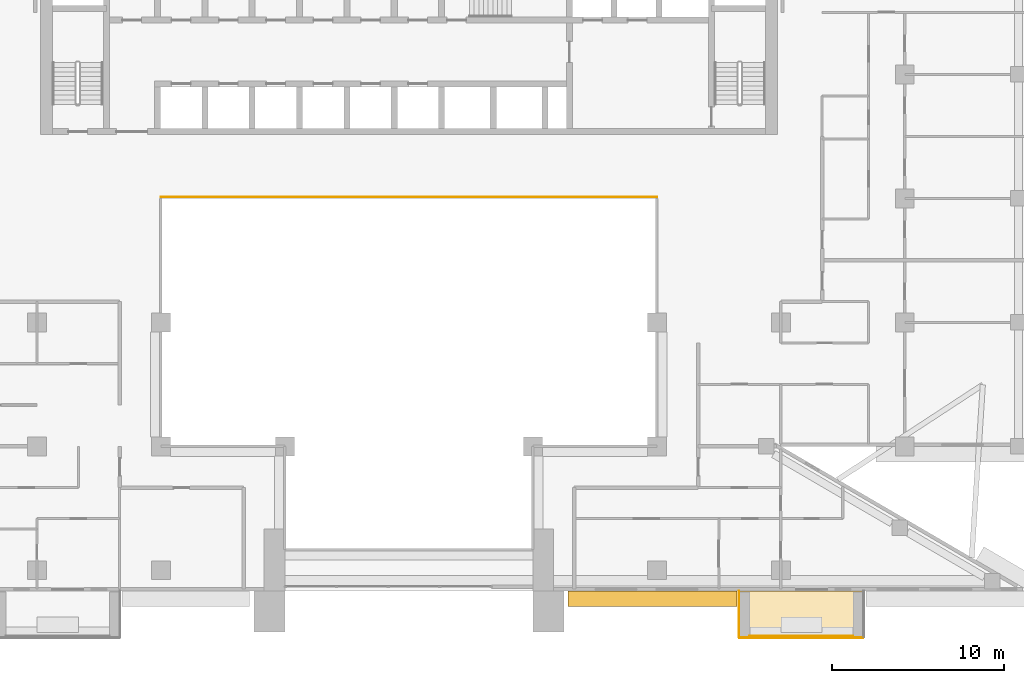
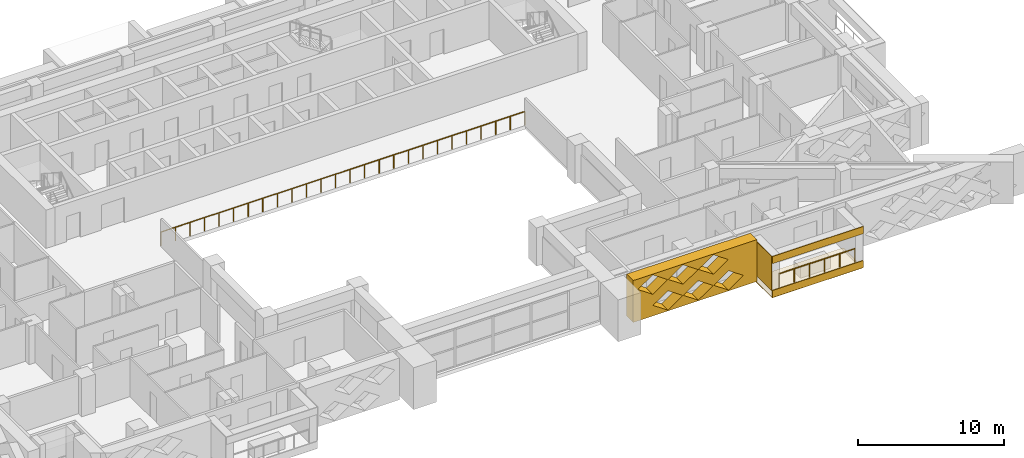
# One storey, part 16 of 20: 5 coverings, 2 railings.
"""IFC4 building model written with IfcOpenShell, lengths in metres."""

import ifcopenshell
import ifcopenshell.guid

model = None  # the IFC model being written
_history = None  # IfcOwnerHistory: only IFC2X3 demands one
_inside = {}  # id of a spatial element -> (the spatial element, [elements in it])
_under = {}  # id of a project, library or spatial element -> (it, [spatial elements below it])
_declared = {}  # id of a project -> (the project, [libraries it declares])
_typed = {}  # id of a type object -> (the type object, [elements of that type])
_made_of = {}  # id of a material, layer set ... -> (it, [elements and type objects made of it])


def new_model(schema):
    """Start an empty IFC model of exactly this schema.

    Asked for "IFC4X3", IfcOpenShell would pick the latest addendum, in which some entities
    have other attributes; the version numbers below select the first issue.
    IFC2X3 requires an IfcOwnerHistory on every rooted entity: one is made here for all.
    """
    global model, _history
    if schema == "IFC4X3":
        model = ifcopenshell.file(schema_version=(4, 3, 0, 0))
    else:
        model = ifcopenshell.file(schema=schema)
    _inside.clear()
    _under.clear()
    _declared.clear()
    _typed.clear()
    _made_of.clear()
    _history = None
    if model.schema == "IFC2X3":
        org = make("IfcOrganization", Name="unknown")
        user = make(
            "IfcPersonAndOrganization",
            ThePerson=make("IfcPerson", FamilyName="unknown"),
            TheOrganization=org,
        )
        app = make(
            "IfcApplication",
            ApplicationDeveloper=org,
            Version="unknown",
            ApplicationFullName="unknown",
            ApplicationIdentifier="unknown",
        )
        _history = make(
            "IfcOwnerHistory",
            OwningUser=user,
            OwningApplication=app,
            ChangeAction="ADDED",
            CreationDate=0,
        )
    return model


def make(cls, **values):
    """One entity of the class cls with the attributes given. An attribute that is None is left unset."""
    return model.create_entity(
        cls, **{name: value for name, value in values.items() if value is not None}
    )


def rooted(cls, **values):
    """An entity with a GlobalId (a new one), such as an element, a storey or a relation."""
    return make(cls, GlobalId=ifcopenshell.guid.new(), OwnerHistory=_history, **values)


def si_unit(unit_type, name, prefix=None):
    """IfcSIUnit, for example si_unit("LENGTHUNIT", "METRE", prefix="MILLI")."""
    return make("IfcSIUnit", UnitType=unit_type, Prefix=prefix, Name=name)


def assignment(units):
    """IfcUnitAssignment: the units of a project."""
    return None if units is None else make("IfcUnitAssignment", Units=units)


def point(xyz):
    """IfcCartesianPoint."""
    return None if xyz is None else make("IfcCartesianPoint", Coordinates=xyz)


def direction(xyz):
    """IfcDirection."""
    return None if xyz is None else make("IfcDirection", DirectionRatios=xyz)


def frame(location, z_axis=None, x_axis=None):
    """IfcAxis2Placement3D, a coordinate frame: its origin and axes. An axis left out is left unset."""
    return make(
        "IfcAxis2Placement3D",
        Location=point(location),
        Axis=direction(z_axis),
        RefDirection=direction(x_axis),
    )


def frame_2d(location, x_axis=None):
    """IfcAxis2Placement2D, a coordinate frame in the plane: its origin and x axis."""
    return make(
        "IfcAxis2Placement2D", Location=point(location), RefDirection=direction(x_axis)
    )


def origin():
    """The frame at (0, 0, 0) with its axes left unset."""
    return frame((0.0, 0.0, 0.0))


def origin_2d():
    """The frame at (0, 0) in the plane with its x axis left unset."""
    return frame_2d((0.0, 0.0))


def place(relative_to, where):
    """IfcLocalPlacement: puts the frame where relative to a parent placement (None: the world)."""
    return make(
        "IfcLocalPlacement", PlacementRelTo=relative_to, RelativePlacement=where
    )


def context(
    kind, dimensions, precision=None, world=None, true_north=None, identifier=None
):
    """IfcGeometricRepresentationContext, for example the 3D "Model" context."""
    return make(
        "IfcGeometricRepresentationContext",
        ContextIdentifier=identifier,
        ContextType=kind,
        CoordinateSpaceDimension=dimensions,
        Precision=precision,
        WorldCoordinateSystem=world,
        TrueNorth=true_north,
    )


def subcontext(parent, identifier, kind, view, scale=None):
    """IfcGeometricRepresentationSubContext, for example "Body" below "Model"."""
    return make(
        "IfcGeometricRepresentationSubContext",
        ContextIdentifier=identifier,
        ContextType=kind,
        ParentContext=parent,
        TargetScale=scale,
        TargetView=view,
    )


def project(units=None, contexts=None):
    """IfcProject with its units and contexts."""
    return rooted(
        "IfcProject",
        Name="project",
        RepresentationContexts=contexts,
        UnitsInContext=assignment(units),
    )


def spatial(cls, under=None, at=None, **own):
    """A site, building, storey or space (cls), placed at a placement, below another one or the project."""
    s = rooted(cls, ObjectPlacement=at, **own)
    if under is not None:
        _under.setdefault(under.id(), (under, []))[1].append(s)
    return s


def polyline(points):
    """IfcPolyline through the points."""
    return make("IfcPolyline", Points=[point(p) for p in points])


def profile(cls, at=None, kind="AREA", **sizes):
    """A parametric profile (cls). Its sizes go by their IFC names, for example OverallWidth=200.0."""
    return make(cls, ProfileType=kind, Position=at, **sizes)


def circle(**sizes):
    """IfcCircleProfileDef."""
    return profile("IfcCircleProfileDef", **sizes)


def outline(outer, holes=None, kind="AREA"):
    """IfcArbitraryClosedProfileDef: a profile drawn as a closed curve; with holes, ...WithVoids."""
    if holes is None:
        return make("IfcArbitraryClosedProfileDef", ProfileType=kind, OuterCurve=outer)
    return make(
        "IfcArbitraryProfileDefWithVoids",
        ProfileType=kind,
        OuterCurve=outer,
        InnerCurves=holes,
    )


def extrude(swept, where, along, depth):
    """IfcExtrudedAreaSolid: the profile swept, set in the frame where, extruded along a direction by depth."""
    return make(
        "IfcExtrudedAreaSolid",
        SweptArea=swept,
        Position=where,
        ExtrudedDirection=direction(along),
        Depth=depth,
    )


def shape(context_of_items, identifier, shape_type, items):
    """IfcShapeRepresentation: the items that make up one representation, for example the "Body"."""
    return make(
        "IfcShapeRepresentation",
        ContextOfItems=context_of_items,
        RepresentationIdentifier=identifier,
        RepresentationType=shape_type,
        Items=items,
    )


def material(Name=None, Category=None):
    """IfcMaterial."""
    return make("IfcMaterial", Name=Name, Category=Category)


def layer(
    of_material, thickness, ventilated=None, Name=None, Category=None, Priority=None
):
    """IfcMaterialLayer: one layer of a wall or slab, of a material (None: an air gap)."""
    return make(
        "IfcMaterialLayer",
        Material=of_material,
        LayerThickness=thickness,
        IsVentilated=ventilated,
        Name=Name,
        Category=Category,
        Priority=Priority,
    )


def layer_set(layers, Name=None):
    """IfcMaterialLayerSet."""
    return make("IfcMaterialLayerSet", MaterialLayers=layers, LayerSetName=Name)


def made_of(thing, what):
    """Note that an element or type object is made of a material, layer set ...; save() writes the relation."""
    if what is not None:
        _made_of.setdefault(what.id(), (what, []))[1].append(thing)
    return thing


def type_object(cls, material=None, **own):
    """A type object (cls), such as IfcWallType, which elements share."""
    return made_of(rooted(cls, **own), material)


def element(
    cls,
    number,
    at=None,
    inside=None,
    cuts=None,
    type_object=None,
    material=None,
    context=None,
    identifier="Body",
    shape_type=None,
    held_by="IfcProductDefinitionShape",
    body=None,
    shapes=None,
    **own,
):
    """One element of the class cls, such as IfcWall. Its Tag is "e" and its number.

    at: its placement. inside: the storey or other place that contains it. cuts: it is an
    opening in that element (IfcRelVoidsElement). A single representation is given by context,
    identifier, shape_type and body (its items); several are given by shapes. held_by: the class
    of the entity that holds the representations. save() writes the other relations.
    """
    e = rooted(cls, Tag="e%d" % number, ObjectPlacement=at, **own)
    if body is not None:
        shapes = [shape(context, identifier, shape_type, body)]
    if shapes is not None:
        e.Representation = make(held_by, Representations=shapes)
    if inside is not None:
        _inside.setdefault(inside.id(), (inside, []))[1].append(e)
    if cuts is not None:
        rooted(
            "IfcRelVoidsElement", RelatingBuildingElement=cuts, RelatedOpeningElement=e
        )
    if type_object is not None:
        _typed.setdefault(type_object.id(), (type_object, []))[1].append(e)
    return made_of(e, material)


def aggregate(whole, parts):
    """IfcRelAggregates: a whole, such as a stair, and the parts it consists of."""
    return rooted("IfcRelAggregates", RelatingObject=whole, RelatedObjects=parts)


def save(model, path):
    """Write the relations noted so far, then the file.

    IfcRelAggregates (storeys below a building ...), IfcRelContainedInSpatialStructure (elements
    in a storey), IfcRelDefinesByType, IfcRelAssociatesMaterial and IfcRelDeclares: one each for
    every whole, place, type object, material and project.
    """
    for whole, parts in _under.values():
        aggregate(whole, parts)
    for where, things in _inside.values():
        rooted(
            "IfcRelContainedInSpatialStructure",
            RelatedElements=things,
            RelatingStructure=where,
        )
    for kind, things in _typed.values():
        rooted("IfcRelDefinesByType", RelatedObjects=things, RelatingType=kind)
    for what, things in _made_of.values():
        rooted("IfcRelAssociatesMaterial", RelatedObjects=things, RelatingMaterial=what)
    for by, libraries in _declared.values():
        rooted("IfcRelDeclares", RelatingContext=by, RelatedDefinitions=libraries)
    model.write(path)


model = new_model("IFC4")

# Units and contexts
model_context = context("Model", 3, precision=1e-05, world=origin(), true_north=direction((0.0, 1.0)))
body_context = subcontext(model_context, "Body", "Model", "MODEL_VIEW")
ifc_project = project(units=[si_unit("LENGTHUNIT", "METRE"), si_unit("AREAUNIT", "SQUARE_METRE"), si_unit("VOLUMEUNIT", "CUBIC_METRE"), si_unit("PLANEANGLEUNIT", "RADIAN"), si_unit("MASSUNIT", "GRAM", prefix="KILO")], contexts=[model_context])

# Site, building, storey
site_placement = place(None, origin())
site = spatial("IfcSite", under=ifc_project, at=site_placement, CompositionType="ELEMENT")
building_placement = place(site_placement, origin())
building = spatial("IfcBuilding", under=site, at=building_placement, Name="Saffron Iwan Residences", CompositionType="ELEMENT")
storey_placement = place(building_placement, frame((0.0, 0.0, 123.5)))
storey = spatial("IfcBuildingStorey", under=building, at=storey_placement, Name="L32", CompositionType="ELEMENT", Elevation=123.5)

# Railings
ifc_material_1 = material(Name="Stainless steel 316", Category="steel")
railing_type_1 = type_object("IfcRailingType", Name="Atrium guard 1150", PredefinedType="GUARDRAIL", material=ifc_material_1)
railing_1_placement = place(storey_placement, frame((36.0, 62.47509765625, 0.0)))
element("IfcRailing", 1, at=railing_1_placement, inside=storey, type_object=railing_type_1, Name="Atrium guard L32", PredefinedType="GUARDRAIL", context=body_context, shape_type="SweptSolid", body=[
    extrude(circle(Radius=0.02392578125, at=origin_2d()), frame((0.0, 0.0, 1.1259765625), z_axis=(1.0, 0.0, 0.0), x_axis=(0.0, 1.0, 0.0)), (0.0, 0.0, 1.0), 28.800048828125),
    extrude(circle(Radius=0.02099609375, at=origin_2d()), origin(), (0.0, 0.0, 1.0), 1.101806640625),
    extrude(circle(Radius=0.02099609375, at=origin_2d()), frame((1.152099609375, 0.0, 0.0)), (0.0, 0.0, 1.0), 1.101806640625),
    extrude(circle(Radius=0.02099609375, at=origin_2d()), frame((2.303955078125, 0.0, 0.0)), (0.0, 0.0, 1.0), 1.101806640625),
    extrude(circle(Radius=0.02099609375, at=origin_2d()), frame((3.4560546875, 0.0, 0.0)), (0.0, 0.0, 1.0), 1.101806640625),
    extrude(circle(Radius=0.02099609375, at=origin_2d()), frame((4.60791015625, 0.0, 0.0)), (0.0, 0.0, 1.0), 1.101806640625),
    extrude(circle(Radius=0.02099609375, at=origin_2d()), frame((5.760009765625, 0.0, 0.0)), (0.0, 0.0, 1.0), 1.101806640625),
    extrude(circle(Radius=0.02099609375, at=origin_2d()), frame((6.912109375, 0.0, 0.0)), (0.0, 0.0, 1.0), 1.101806640625),
    extrude(circle(Radius=0.02099609375, at=origin_2d()), frame((8.06396484375, 0.0, 0.0)), (0.0, 0.0, 1.0), 1.101806640625),
    extrude(circle(Radius=0.02099609375, at=origin_2d()), frame((9.216064453125, 0.0, 0.0)), (0.0, 0.0, 1.0), 1.101806640625),
    extrude(circle(Radius=0.02099609375, at=origin_2d()), frame((10.367919921875, 0.0, 0.0)), (0.0, 0.0, 1.0), 1.101806640625),
    extrude(circle(Radius=0.02099609375, at=origin_2d()), frame((11.52001953125, 0.0, 0.0)), (0.0, 0.0, 1.0), 1.101806640625),
    extrude(circle(Radius=0.02099609375, at=origin_2d()), frame((12.672119140625, 0.0, 0.0)), (0.0, 0.0, 1.0), 1.101806640625),
    extrude(circle(Radius=0.02099609375, at=origin_2d()), frame((13.823974609375, 0.0, 0.0)), (0.0, 0.0, 1.0), 1.101806640625),
    extrude(circle(Radius=0.02099609375, at=origin_2d()), frame((14.97607421875, 0.0, 0.0)), (0.0, 0.0, 1.0), 1.101806640625),
    extrude(circle(Radius=0.02099609375, at=origin_2d()), frame((16.1279296875, 0.0, 0.0)), (0.0, 0.0, 1.0), 1.101806640625),
    extrude(circle(Radius=0.02099609375, at=origin_2d()), frame((17.280029296875, 0.0, 0.0)), (0.0, 0.0, 1.0), 1.101806640625),
    extrude(circle(Radius=0.02099609375, at=origin_2d()), frame((18.43212890625, 0.0, 0.0)), (0.0, 0.0, 1.0), 1.101806640625),
    extrude(circle(Radius=0.02099609375, at=origin_2d()), frame((19.583984375, 0.0, 0.0)), (0.0, 0.0, 1.0), 1.101806640625),
    extrude(circle(Radius=0.02099609375, at=origin_2d()), frame((20.736083984375, 0.0, 0.0)), (0.0, 0.0, 1.0), 1.101806640625),
    extrude(circle(Radius=0.02099609375, at=origin_2d()), frame((21.887939453125, 0.0, 0.0)), (0.0, 0.0, 1.0), 1.101806640625),
    extrude(circle(Radius=0.02099609375, at=origin_2d()), frame((23.0400390625, 0.0, 0.0)), (0.0, 0.0, 1.0), 1.101806640625),
    extrude(circle(Radius=0.02099609375, at=origin_2d()), frame((24.192138671875, 0.0, 0.0)), (0.0, 0.0, 1.0), 1.101806640625),
    extrude(circle(Radius=0.02099609375, at=origin_2d()), frame((25.343994140625, 0.0, 0.0)), (0.0, 0.0, 1.0), 1.101806640625),
    extrude(circle(Radius=0.02099609375, at=origin_2d()), frame((26.49609375, 0.0, 0.0)), (0.0, 0.0, 1.0), 1.101806640625),
    extrude(circle(Radius=0.02099609375, at=origin_2d()), frame((27.64794921875, 0.0, 0.0)), (0.0, 0.0, 1.0), 1.101806640625),
    extrude(circle(Radius=0.02099609375, at=origin_2d()), frame((28.800048828125, 0.0, 0.0)), (0.0, 0.0, 1.0), 1.101806640625),
])
railing_type_2 = type_object("IfcRailingType", Name="BALCONY GUARD 1150", PredefinedType="GUARDRAIL", material=ifc_material_1)
railing_2_placement = place(storey_placement, frame((70.199951171875, 36.97509765625, 0.0)))
element("IfcRailing", 2, at=railing_2_placement, inside=storey, type_object=railing_type_2, Name="Balcony guard L32 11-1", PredefinedType="GUARDRAIL", context=body_context, shape_type="SweptSolid", body=[
    extrude(circle(Radius=0.02392578125, at=origin_2d()), frame((0.0, 0.0, 1.1259765625), z_axis=(1.0, 0.0, 0.0), x_axis=(0.0, 1.0, 0.0)), (0.0, 0.0, 1.0), 6.0),
    extrude(circle(Radius=0.02099609375, at=origin_2d()), origin(), (0.0, 0.0, 1.0), 1.101806640625),
    extrude(circle(Radius=0.02099609375, at=origin_2d()), frame((1.199951171875, 0.0, 0.0)), (0.0, 0.0, 1.0), 1.101806640625),
    extrude(circle(Radius=0.02099609375, at=origin_2d()), frame((2.39990234375, 0.0, 0.0)), (0.0, 0.0, 1.0), 1.101806640625),
    extrude(circle(Radius=0.02099609375, at=origin_2d()), frame((3.60009765625, 0.0, 0.0)), (0.0, 0.0, 1.0), 1.101806640625),
    extrude(circle(Radius=0.02099609375, at=origin_2d()), frame((4.800048828125, 0.0, 0.0)), (0.0, 0.0, 1.0), 1.101806640625),
    extrude(circle(Radius=0.02099609375, at=origin_2d()), frame((6.0, 0.0, 0.0)), (0.0, 0.0, 1.0), 1.101806640625),
])

# Coverings
ifc_material_2 = material(Name="Precast concrete C40/50 white painted", Category="concrete")
ifc_layer = layer(ifc_material_2, 0.050048828125)
ifc_layer_set = layer_set([ifc_layer], Name="Precast concrete C40/50 white painted")
covering_type_1 = type_object("IfcCoveringType", Name="FRAME SKIN PRECAST WHITE 50", PredefinedType="CLADDING", material=ifc_layer_set)
for number, where, name in (
    (3, (0.0, 0.0, -0.60009765625), "Frame skin slab edge L32 11-1"),
    (4, (0.0, 0.0, 2.25), "Frame skin fascia L32 11-1"),
):
    element("IfcCovering", number, at=place(storey_placement, frame(where)), inside=storey, type_object=covering_type_1, Name=name, PredefinedType="CLADDING", context=body_context, shape_type="SweptSolid", body=[
        extrude(outline(polyline([(69.60009765625, 36.85009765625), (76.800048828125, 36.85009765625), (76.800048828125, 36.89990234375), (69.60009765625, 36.89990234375), (69.60009765625, 36.85009765625)])), origin(), (0.0, 0.0, 1.0), 0.60009765625),
    ])
covering_1_placement = place(storey_placement, frame((0.0, 0.0, -0.64990234375)))
element("IfcCovering", 5, at=covering_1_placement, inside=storey, type_object=covering_type_1, Name="Frame skin soffit L32 11-1", PredefinedType="CLADDING", context=body_context, shape_type="SweptSolid", body=[
    extrude(outline(polyline([(69.60009765625, 36.89990234375), (76.800048828125, 36.89990234375), (76.800048828125, 39.60009765625), (69.60009765625, 39.60009765625), (69.60009765625, 36.89990234375)])), origin(), (0.0, 0.0, 1.0), 0.0498046875),
])
covering_2_placement = place(storey_placement, origin())
element("IfcCovering", 6, at=covering_2_placement, inside=storey, type_object=covering_type_1, Name="Frame skin fin L32 11-1a", PredefinedType="CLADDING", context=body_context, shape_type="SweptSolid", body=[
    extrude(outline(polyline([(69.550048828125, 36.89990234375), (69.60009765625, 36.89990234375), (69.60009765625, 39.60009765625), (69.550048828125, 39.60009765625), (69.550048828125, 36.89990234375)])), origin(), (0.0, 0.0, 1.0), 2.85009765625),
])
ifc_material_3 = material(Name="Precast concrete C40/50", Category="concrete")
covering_type_2 = type_object("IfcCoveringType", Name="OUTER SKIN LATTICE SCREEN", PredefinedType="CLADDING", material=ifc_material_3)
covering_3_placement = place(storey_placement, frame((59.64990234375, 39.60009765625, -0.300048828125), z_axis=(0.0, -1.0, 0.0), x_axis=(1.0, 0.0, 0.0)))
element("IfcCovering", 7, at=covering_3_placement, inside=storey, type_object=covering_type_2, Name="OUTER SKIN lattice screen L32 F11.2", PredefinedType="CLADDING", context=body_context, shape_type="SweptSolid", body=[
    extrude(outline(polyline([(0.0, 0.0), (9.800048828125, 0.0), (9.800048828125, 3.5), (0.0, 3.5), (0.0, 0.0)]), holes=[polyline([(1.570068359375, 0.875), (2.75, 0.06005859375), (3.929931640625, 0.875), (2.75, 1.68994140625), (1.570068359375, 0.875)]), polyline([(3.969970703125, 0.875), (5.14990234375, 0.06005859375), (6.330078125, 0.875), (5.14990234375, 1.68994140625), (3.969970703125, 0.875)]), polyline([(6.3701171875, 0.875), (7.550048828125, 0.06005859375), (8.72998046875, 0.875), (7.550048828125, 1.68994140625), (6.3701171875, 0.875)]), polyline([(0.3701171875, 2.625), (1.550048828125, 1.81005859375), (2.72998046875, 2.625), (1.550048828125, 3.43994140625), (0.3701171875, 2.625)]), polyline([(2.77001953125, 2.625), (3.949951171875, 1.81005859375), (5.1298828125, 2.625), (3.949951171875, 3.43994140625), (2.77001953125, 2.625)]), polyline([(5.169921875, 2.625), (6.35009765625, 1.81005859375), (7.530029296875, 2.625), (6.35009765625, 3.43994140625), (5.169921875, 2.625)])]), origin(), (0.0, 0.0, 1.0), 0.900146484375),
])

save(model, "model.ifc")
